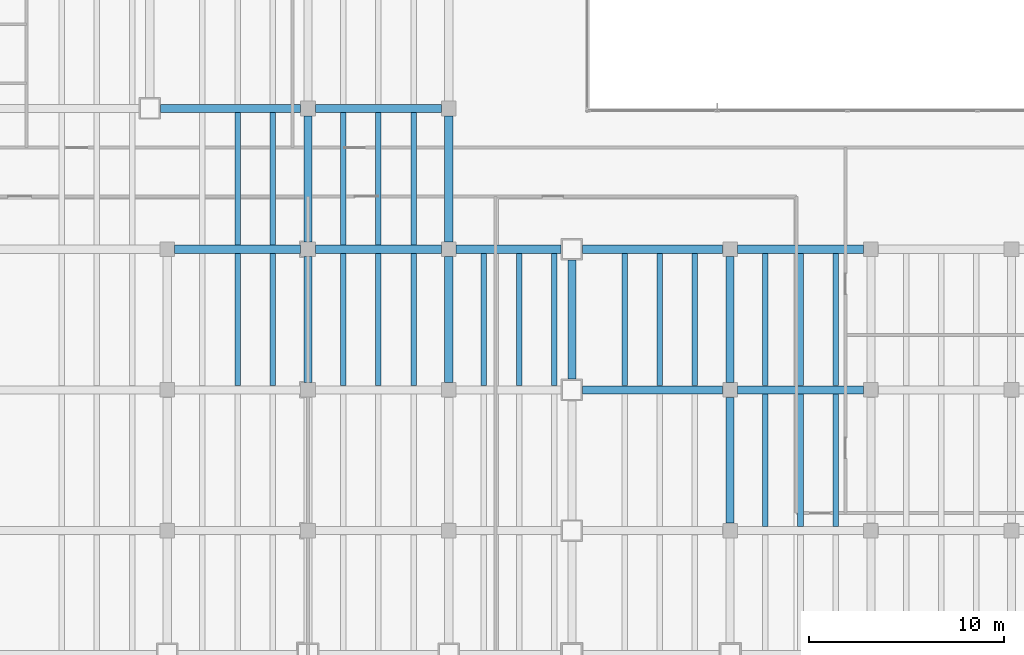
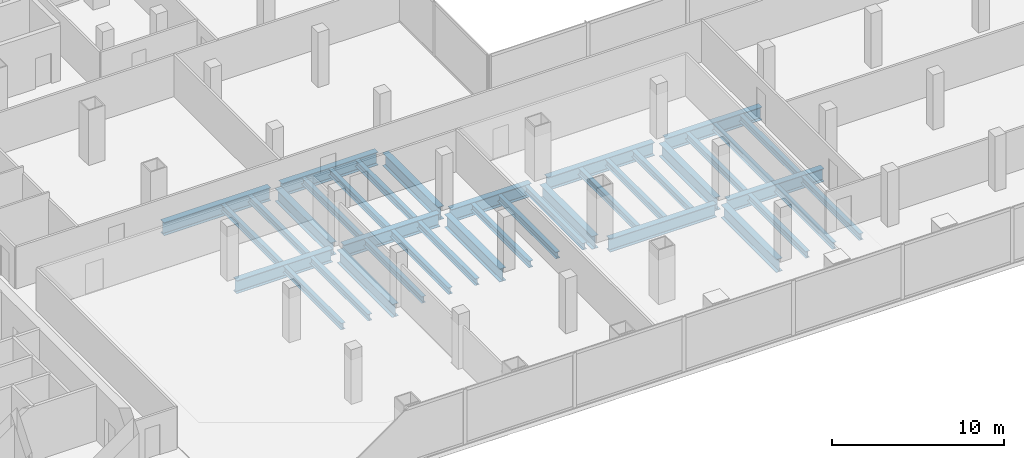
# One storey, part 8 of 32: 38 beams.
"""IFC4 building model written with IfcOpenShell, lengths in metres."""

from ifc_helpers import new_model, si_unit, direction, frame, origin, origin_2d, place, context, subcontext, project, spatial, i_section, extrude, material, material_profile, profile_set, type_object, element, save


model = new_model("IFC4")

# Units and contexts
model_context = context("Model", 3, precision=1e-05, world=origin(), true_north=direction((0.0, 1.0)))
body_context = subcontext(model_context, "Body", "Model", "MODEL_VIEW")
ifc_project = project(units=[si_unit("LENGTHUNIT", "METRE"), si_unit("AREAUNIT", "SQUARE_METRE"), si_unit("VOLUMEUNIT", "CUBIC_METRE"), si_unit("PLANEANGLEUNIT", "RADIAN"), si_unit("MASSUNIT", "GRAM", prefix="KILO")], contexts=[model_context])

# Site, building, storey
site_placement = place(None, origin())
site = spatial("IfcSite", under=ifc_project, at=site_placement, CompositionType="ELEMENT")
building_placement = place(site_placement, origin())
building = spatial("IfcBuilding", under=site, at=building_placement, Name="Cobrela Telecom Tower", CompositionType="ELEMENT")
storey_placement = place(building_placement, frame((0.0, 0.0, 22.050048828125)))
storey = spatial("IfcBuildingStorey", under=building, at=storey_placement, Name="L05", CompositionType="ELEMENT", Elevation=22.050048828125)

# Beams
ifc_material = material(Name="Steel ASTM A992 Grade 50", Category="steel")
ifc_material_profile_1 = material_profile(ifc_material, i_section(OverallWidth=0.4189453125, OverallDepth=0.927001953125, WebThickness=0.019287109375, FlangeThickness=0.031982421875, FilletRadius=0.02392578125, at=origin_2d()), Name="W36X231")
ifc_profile_set_1 = profile_set([ifc_material_profile_1], Name="Steel ASTM A992 Grade 50")
beam_type_1 = type_object("IfcBeamType", Name="BM-GIRD-02", PredefinedType="USERDEFINED", material=ifc_profile_set_1)
beam_1_placement = place(storey_placement, frame((50.054931640625, 14.39990234375, -0.753662109375), z_axis=(1.0, 0.0, 0.0), x_axis=(0.0, 1.0, 0.0)))
element("IfcBeam", 1, at=beam_1_placement, inside=storey, type_object=beam_type_1, Name="L05 Primary Girder X24", ObjectType="GIRDER", PredefinedType="USERDEFINED", context=body_context, shape_type="SweptSolid", body=[
    extrude(i_section(OverallWidth=0.4189453125, OverallDepth=0.927001953125, WebThickness=0.019287109375, FlangeThickness=0.031982421875, FilletRadius=0.02392578125, at=origin_2d()), origin(), (0.0, 0.0, 1.0), 7.1650390625),
])
beam_2_placement = place(storey_placement, frame((57.97998046875, 14.39990234375, -0.753662109375), z_axis=(1.0, 0.0, 0.0), x_axis=(0.0, 1.0, 0.0)))
element("IfcBeam", 2, at=beam_2_placement, inside=storey, type_object=beam_type_1, Name="L05 Primary Girder X25", ObjectType="GIRDER", PredefinedType="USERDEFINED", context=body_context, shape_type="SweptSolid", body=[
    extrude(i_section(OverallWidth=0.4189453125, OverallDepth=0.927001953125, WebThickness=0.019287109375, FlangeThickness=0.031982421875, FilletRadius=0.02392578125, at=origin_2d()), origin(), (0.0, 0.0, 1.0), 6.43994140625),
])
for number, where, z_axis, x_axis, name in (
    (3, (29.179931640625, 21.60009765625, -0.753662109375), (1.0, 0.0, 0.0), (0.0, 1.0, 0.0), "L05 Primary Girder X30"),
    (4, (36.3798828125, 21.60009765625, -0.753662109375), (1.0, 0.0, 0.0), (0.0, 1.0, 0.0), "L05 Primary Girder X31"),
):
    element("IfcBeam", number, at=place(storey_placement, frame(where, z_axis=z_axis, x_axis=x_axis)), inside=storey, type_object=beam_type_1, Name=name, ObjectType="GIRDER", PredefinedType="USERDEFINED", context=body_context, shape_type="SweptSolid", body=[
        extrude(i_section(OverallWidth=0.4189453125, OverallDepth=0.927001953125, WebThickness=0.019287109375, FlangeThickness=0.031982421875, FilletRadius=0.02392578125, at=origin_2d()), origin(), (0.0, 0.0, 1.0), 6.440185546875),
    ])
beam_3_placement = place(storey_placement, frame((43.580078125, 21.60009765625, -0.753662109375), z_axis=(1.0, 0.0, 0.0), x_axis=(0.0, 1.0, 0.0)))
element("IfcBeam", 5, at=beam_3_placement, inside=storey, type_object=beam_type_1, Name="L05 Primary Girder X32", ObjectType="GIRDER", PredefinedType="USERDEFINED", context=body_context, shape_type="SweptSolid", body=[
    extrude(i_section(OverallWidth=0.4189453125, OverallDepth=0.927001953125, WebThickness=0.019287109375, FlangeThickness=0.031982421875, FilletRadius=0.02392578125, at=origin_2d()), origin(), (0.0, 0.0, 1.0), 5.364990234375),
])
beam_4_placement = place(storey_placement, frame((50.054931640625, 21.60009765625, -0.753662109375), z_axis=(1.0, 0.0, 0.0), x_axis=(0.0, 1.0, 0.0)))
element("IfcBeam", 6, at=beam_4_placement, inside=storey, type_object=beam_type_1, Name="L05 Primary Girder X33", ObjectType="GIRDER", PredefinedType="USERDEFINED", context=body_context, shape_type="SweptSolid", body=[
    extrude(i_section(OverallWidth=0.4189453125, OverallDepth=0.927001953125, WebThickness=0.019287109375, FlangeThickness=0.031982421875, FilletRadius=0.02392578125, at=origin_2d()), origin(), (0.0, 0.0, 1.0), 7.1650390625),
])
beam_5_placement = place(storey_placement, frame((57.97998046875, 21.60009765625, -0.753662109375), z_axis=(1.0, 0.0, 0.0), x_axis=(0.0, 1.0, 0.0)))
element("IfcBeam", 7, at=beam_5_placement, inside=storey, type_object=beam_type_1, Name="L05 Primary Girder X34", ObjectType="GIRDER", PredefinedType="USERDEFINED", context=body_context, shape_type="SweptSolid", body=[
    extrude(i_section(OverallWidth=0.4189453125, OverallDepth=0.927001953125, WebThickness=0.019287109375, FlangeThickness=0.031982421875, FilletRadius=0.02392578125, at=origin_2d()), origin(), (0.0, 0.0, 1.0), 6.43994140625),
])
beam_6_placement = place(storey_placement, frame((28.455078125, 28.800048828125, -0.753662109375), z_axis=(1.0, 0.0, 0.0), x_axis=(0.0, 1.0, 0.0)))
element("IfcBeam", 8, at=beam_6_placement, inside=storey, type_object=beam_type_1, Name="L05 Primary Girder X39", ObjectType="GIRDER", PredefinedType="USERDEFINED", context=body_context, shape_type="SweptSolid", body=[
    extrude(i_section(OverallWidth=0.4189453125, OverallDepth=0.927001953125, WebThickness=0.019287109375, FlangeThickness=0.031982421875, FilletRadius=0.02392578125, at=origin_2d()), origin(), (0.0, 0.0, 1.0), 7.1650390625),
])
beam_7_placement = place(storey_placement, frame((36.3798828125, 28.800048828125, -0.753662109375), z_axis=(1.0, 0.0, 0.0), x_axis=(0.0, 1.0, 0.0)))
element("IfcBeam", 9, at=beam_7_placement, inside=storey, type_object=beam_type_1, Name="L05 Primary Girder X40", ObjectType="GIRDER", PredefinedType="USERDEFINED", context=body_context, shape_type="SweptSolid", body=[
    extrude(i_section(OverallWidth=0.4189453125, OverallDepth=0.927001953125, WebThickness=0.019287109375, FlangeThickness=0.031982421875, FilletRadius=0.02392578125, at=origin_2d()), origin(), (0.0, 0.0, 1.0), 6.440185546875),
])
for number, where, z_axis, x_axis, name in (
    (10, (36.0, 14.780029296875, -0.753662109375), (0.0, 1.0, 0.0), (-1.0, 0.0, 0.0), "L05 Primary Girder Y73"),
    (11, (36.0, 21.97998046875, -0.753662109375), (0.0, 1.0, 0.0), (-1.0, 0.0, 0.0), "L05 Primary Girder Y74"),
    (12, (43.199951171875, 14.780029296875, -0.753662109375), (0.0, 1.0, 0.0), (-1.0, 0.0, 0.0), "L05 Primary Girder Y80"),
    (13, (43.199951171875, 21.97998046875, -0.753662109375), (0.0, 1.0, 0.0), (-1.0, 0.0, 0.0), "L05 Primary Girder Y81"),
):
    element("IfcBeam", number, at=place(storey_placement, frame(where, z_axis=z_axis, x_axis=x_axis)), inside=storey, type_object=beam_type_1, Name=name, ObjectType="GIRDER", PredefinedType="USERDEFINED", context=body_context, shape_type="SweptSolid", body=[
        extrude(i_section(OverallWidth=0.4189453125, OverallDepth=0.927001953125, WebThickness=0.019287109375, FlangeThickness=0.031982421875, FilletRadius=0.02392578125, at=origin_2d()), origin(), (0.0, 0.0, 1.0), 6.43994140625),
    ])
beam_8_placement = place(storey_placement, frame((49.5, 14.955078125, -0.753662109375), z_axis=(0.0, 1.0, 0.0), x_axis=(-1.0, 0.0, 0.0)))
element("IfcBeam", 14, at=beam_8_placement, inside=storey, type_object=beam_type_1, Name="L05 Primary Girder Y87", ObjectType="GIRDER", PredefinedType="USERDEFINED", context=body_context, shape_type="SweptSolid", body=[
    extrude(i_section(OverallWidth=0.4189453125, OverallDepth=0.927001953125, WebThickness=0.019287109375, FlangeThickness=0.031982421875, FilletRadius=0.02392578125, at=origin_2d()), origin(), (0.0, 0.0, 1.0), 6.08984375),
])
for number, where, z_axis, x_axis, name in (
    (15, (57.60009765625, 7.580078125, -0.753662109375), (0.0, 1.0, 0.0), (-1.0, 0.0, 0.0), "L05 Primary Girder Y89"),
    (16, (57.60009765625, 14.780029296875, -0.753662109375), (0.0, 1.0, 0.0), (-1.0, 0.0, 0.0), "L05 Primary Girder Y90"),
):
    element("IfcBeam", number, at=place(storey_placement, frame(where, z_axis=z_axis, x_axis=x_axis)), inside=storey, type_object=beam_type_1, Name=name, ObjectType="GIRDER", PredefinedType="USERDEFINED", context=body_context, shape_type="SweptSolid", body=[
        extrude(i_section(OverallWidth=0.4189453125, OverallDepth=0.927001953125, WebThickness=0.019287109375, FlangeThickness=0.031982421875, FilletRadius=0.02392578125, at=origin_2d()), origin(), (0.0, 0.0, 1.0), 6.43994140625),
    ])
ifc_material_profile_2 = material_profile(ifc_material, i_section(OverallWidth=0.281982421875, OverallDepth=0.467041015625, WebThickness=0.01220703125, FlangeThickness=0.01953125, FilletRadius=0.012939453125, at=origin_2d()), Name="W18X86")
ifc_profile_set_2 = profile_set([ifc_material_profile_2], Name="Steel ASTM A992 Grade 50")
beam_type_2 = type_object("IfcBeamType", Name="BM-JOIST-02", PredefinedType="JOIST", material=ifc_profile_set_2)
for number, where, z_axis, x_axis, name in (
    (17, (32.39990234375, 14.614501953125, -0.5234375), (0.0, 1.0, 0.0), (-1.0, 0.0, 0.0), "L05 Secondary Composite Floor Beam J60"),
    (18, (32.39990234375, 21.814453125, -0.5234375), (0.0, 1.0, 0.0), (-1.0, 0.0, 0.0), "L05 Secondary Composite Floor Beam J61"),
    (19, (34.199951171875, 14.614501953125, -0.5234375), (0.0, 1.0, 0.0), (-1.0, 0.0, 0.0), "L05 Secondary Composite Floor Beam J65"),
    (20, (34.199951171875, 21.814453125, -0.5234375), (0.0, 1.0, 0.0), (-1.0, 0.0, 0.0), "L05 Secondary Composite Floor Beam J66"),
    (21, (37.800048828125, 14.614501953125, -0.5234375), (0.0, 1.0, 0.0), (-1.0, 0.0, 0.0), "L05 Secondary Composite Floor Beam J72"),
    (22, (37.800048828125, 21.814453125, -0.5234375), (0.0, 1.0, 0.0), (-1.0, 0.0, 0.0), "L05 Secondary Composite Floor Beam J73"),
    (23, (39.60009765625, 14.614501953125, -0.5234375), (0.0, 1.0, 0.0), (-1.0, 0.0, 0.0), "L05 Secondary Composite Floor Beam J79"),
    (24, (39.60009765625, 21.814453125, -0.5234375), (0.0, 1.0, 0.0), (-1.0, 0.0, 0.0), "L05 Secondary Composite Floor Beam J80"),
    (25, (41.39990234375, 14.614501953125, -0.5234375), (0.0, 1.0, 0.0), (-1.0, 0.0, 0.0), "L05 Secondary Composite Floor Beam J86"),
    (26, (41.39990234375, 21.814453125, -0.5234375), (0.0, 1.0, 0.0), (-1.0, 0.0, 0.0), "L05 Secondary Composite Floor Beam J87"),
    (27, (45.0, 14.614501953125, -0.5234375), (0.0, 1.0, 0.0), (-1.0, 0.0, 0.0), "L05 Secondary Composite Floor Beam J93"),
    (28, (46.800048828125, 14.614501953125, -0.5234375), (0.0, 1.0, 0.0), (-1.0, 0.0, 0.0), "L05 Secondary Composite Floor Beam J96"),
    (29, (48.60009765625, 14.614501953125, -0.5234375), (0.0, 1.0, 0.0), (-1.0, 0.0, 0.0), "L05 Secondary Composite Floor Beam J99"),
    (30, (52.199951171875, 14.614501953125, -0.5234375), (0.0, 1.0, 0.0), (-1.0, 0.0, 0.0), "L05 Secondary Composite Floor Beam J102"),
    (31, (54.0, 14.614501953125, -0.5234375), (0.0, 1.0, 0.0), (-1.0, 0.0, 0.0), "L05 Secondary Composite Floor Beam J105"),
    (32, (55.800048828125, 14.614501953125, -0.5234375), (0.0, 1.0, 0.0), (-1.0, 0.0, 0.0), "L05 Secondary Composite Floor Beam J108"),
    (33, (59.39990234375, 7.41455078125, -0.5234375), (0.0, 1.0, 0.0), (-1.0, 0.0, 0.0), "L05 Secondary Composite Floor Beam J110"),
    (34, (59.39990234375, 14.614501953125, -0.5234375), (0.0, 1.0, 0.0), (-1.0, 0.0, 0.0), "L05 Secondary Composite Floor Beam J111"),
    (35, (61.199951171875, 7.41455078125, -0.5234375), (0.0, 1.0, 0.0), (-1.0, 0.0, 0.0), "L05 Secondary Composite Floor Beam J113"),
    (36, (61.199951171875, 14.614501953125, -0.5234375), (0.0, 1.0, 0.0), (-1.0, 0.0, 0.0), "L05 Secondary Composite Floor Beam J114"),
    (37, (63.0, 7.41455078125, -0.5234375), (0.0, 1.0, 0.0), (-1.0, 0.0, 0.0), "L05 Secondary Composite Floor Beam J116"),
    (38, (63.0, 14.614501953125, -0.5234375), (0.0, 1.0, 0.0), (-1.0, 0.0, 0.0), "L05 Secondary Composite Floor Beam J117"),
):
    element("IfcBeam", number, at=place(storey_placement, frame(where, z_axis=z_axis, x_axis=x_axis)), inside=storey, type_object=beam_type_2, Name=name, PredefinedType="JOIST", context=body_context, shape_type="SweptSolid", body=[
        extrude(i_section(OverallWidth=0.281982421875, OverallDepth=0.467041015625, WebThickness=0.01220703125, FlangeThickness=0.01953125, FilletRadius=0.012939453125, at=origin_2d()), origin(), (0.0, 0.0, 1.0), 6.77099609375),
    ])

save(model, "model.ifc")
